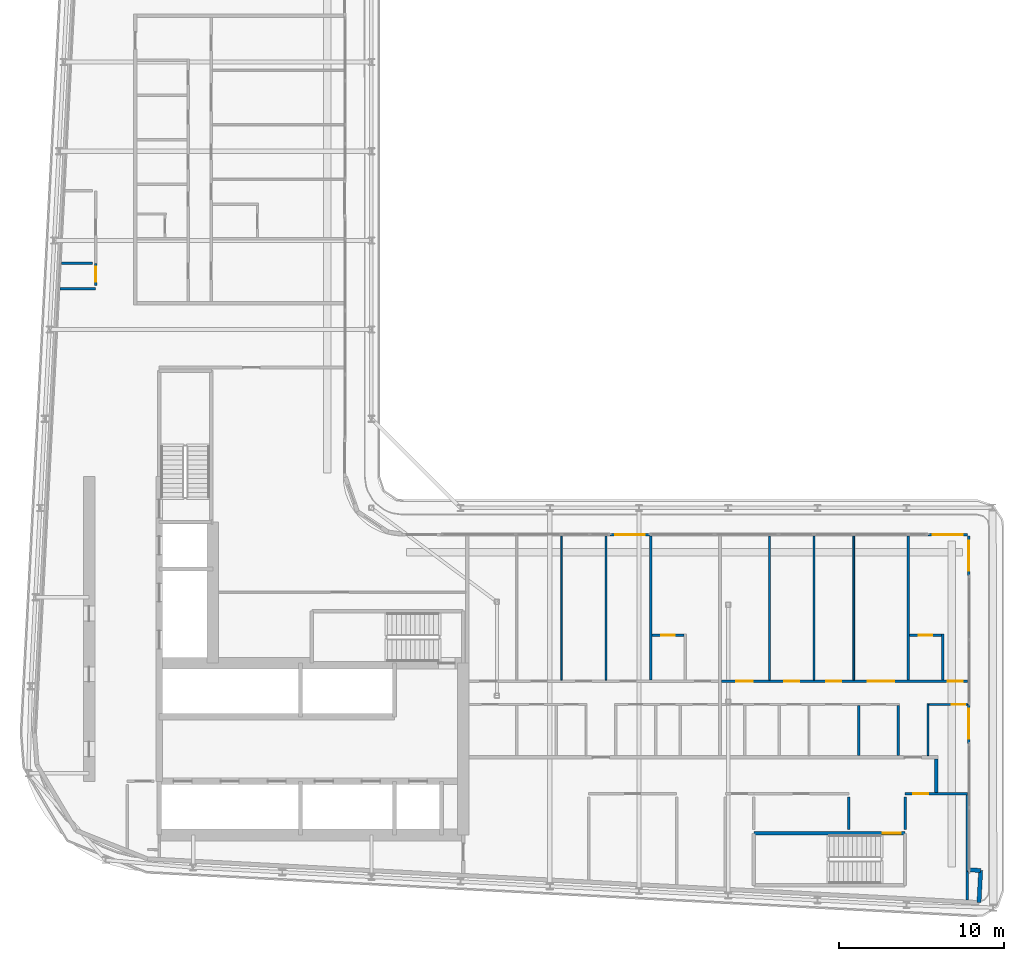
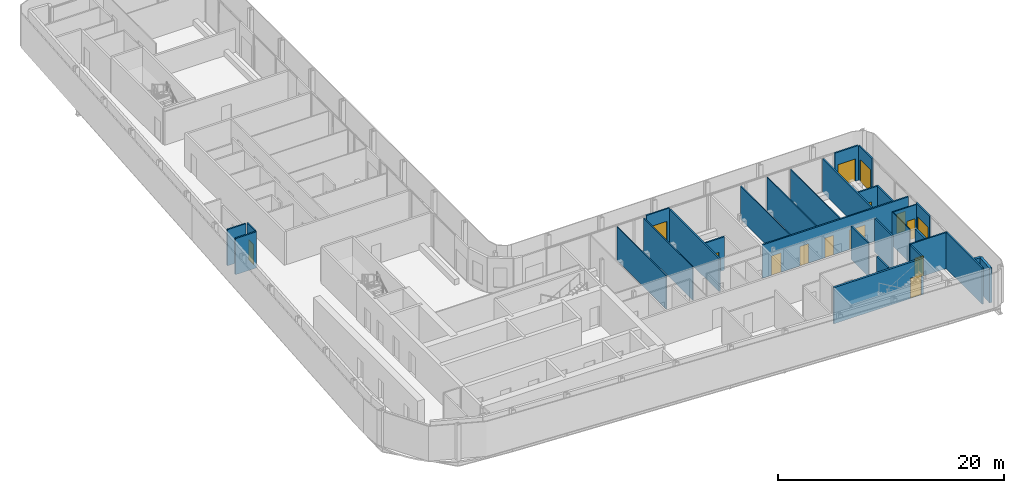
# One storey, part 13 of 23: 30 walls, 15 doors, 15 openings.
"""IFC4 building model written with IfcOpenShell, lengths in metres."""

from ifc_helpers import new_model, si_unit, direction, frame, frame_2d, origin, place, context, subcontext, project, spatial, rectangle, extrude, source, transform, mapped, material, layer, layer_set, type_object, element, fill, save


model = new_model("IFC4")

# Units and contexts
model_context = context("Model", 3, precision=1e-05, world=origin(), true_north=direction((0.0, 1.0)))
body_context = subcontext(model_context, "Body", "Model", "MODEL_VIEW")
ifc_project = project(units=[si_unit("LENGTHUNIT", "METRE"), si_unit("AREAUNIT", "SQUARE_METRE"), si_unit("VOLUMEUNIT", "CUBIC_METRE"), si_unit("PLANEANGLEUNIT", "RADIAN"), si_unit("MASSUNIT", "GRAM", prefix="KILO")], contexts=[model_context])

# Site, building, storey
site_placement = place(None, origin())
site = spatial("IfcSite", under=ifc_project, at=site_placement, CompositionType="ELEMENT")
building_placement = place(site_placement, origin())
building = spatial("IfcBuilding", under=site, at=building_placement, Name="Kheshtan School and Residences Tower", CompositionType="ELEMENT")
storey_placement = place(building_placement, frame((0.0, 0.0, 243.5)))
storey = spatial("IfcBuildingStorey", under=building, at=storey_placement, Name="L57", CompositionType="ELEMENT", Elevation=243.5)

# Walls
ifc_material_1 = material(Name="Gypsum board on steel studs with fire boards", Category="steel")
ifc_layer_1 = layer(ifc_material_1, 0.199951171875)
ifc_layer_set_1 = layer_set([ifc_layer_1], Name="Corridor wall 200")
wall_type_1 = type_object("IfcWallType", Name="Corridor wall 200", PredefinedType="PARTITIONING", material=ifc_layer_set_1)
wall_1_placement = place(storey_placement, frame((81.800048828125, 28.3740234375, 0.0), z_axis=(0.0, 0.0, 1.0), x_axis=(0.0, 1.0, 0.0)))
element("IfcWall", 1, at=wall_1_placement, inside=storey, type_object=wall_type_1, Name="Partition L57-067", PredefinedType="PARTITIONING", context=body_context, shape_type="SweptSolid", body=[
    extrude(rectangle(XDim=2.02587890625, YDim=0.199951171875, at=frame_2d((1.012939453125, 0.0))), origin(), (0.0, 0.0, 1.0), 3.60009765625),
])
ifc_material_2 = material(Name="Concrete C40/50 with ceramic cladding and mineral wool insulation", Category="concrete")
ifc_layer_2 = layer(ifc_material_2, 0.25)
ifc_layer_set_2 = layer_set([ifc_layer_2], Name="External wall 250 ceramic clad")
wall_type_2 = type_object("IfcWallType", Name="External wall 250 ceramic clad", PredefinedType="SOLIDWALL", material=ifc_layer_set_2)
wall_2_placement = place(storey_placement, frame((83.70703125, 23.69189453125, 0.0), z_axis=(0.0, 0.0, 1.0), x_axis=(0.998561284263, -0.053622398031, 0.0)))
element("IfcWall", 2, at=wall_2_placement, inside=storey, type_object=wall_type_2, Name="External wall L57 14", PredefinedType="SOLIDWALL", context=body_context, shape_type="SweptSolid", body=[
    extrude(rectangle(XDim=0.783203125, YDim=0.25, at=frame_2d((0.3916015625, 0.0))), origin(), (0.0, 0.0, 1.0), 3.75),
])
wall_3_placement = place(storey_placement, frame((84.489013671875, 23.64990234375, 0.0), z_axis=(0.0, 0.0, 1.0), x_axis=(-0.052841433274, -0.998602915542, 0.0)))
element("IfcWall", 3, at=wall_3_placement, inside=storey, type_object=wall_type_2, Name="External wall L57 15", PredefinedType="SOLIDWALL", context=body_context, shape_type="SweptSolid", body=[
    extrude(rectangle(XDim=1.94970703125, YDim=0.25, at=frame_2d((0.974853515625, 0.0))), origin(), (0.0, 0.0, 1.0), 3.75),
])

# Wall, opening, door
ifc_material_3 = material(Name="Aluminium frame wall with insulated infill", Category="aluminium")
ifc_layer_3 = layer(ifc_material_3, 0.14990234375)
ifc_layer_set_3 = layer_set([ifc_layer_3], Name="Glazing frame wall 150")
wall_type_3 = type_object("IfcWallType", Name="Glazing frame wall 150", PredefinedType="SOLIDWALL", material=ifc_layer_set_3)
wall_4_placement = place(storey_placement, frame((62.052978515625, 43.97509765625, 0.0), z_axis=(0.0, 0.0, 1.0), x_axis=(1.0, 0.0, 0.0)))
wall_4 = element("IfcWall", 4, at=wall_4_placement, inside=storey, type_object=wall_type_3, Name="Balcony door wall L57 12.2", PredefinedType="SOLIDWALL", context=body_context, shape_type="SweptSolid", body=[
    extrude(rectangle(XDim=2.39990234375, YDim=0.14990234375, at=frame_2d((1.199951171875, 0.0))), origin(), (0.0, 0.0, 1.0), 3.75),
])
opening_1_placement = place(wall_4_placement, frame((0.300048828125, 0.0, 0.0)))
opening_1 = element("IfcOpeningElement", 5, at=opening_1_placement, cuts=wall_4, Name="Opening BD", PredefinedType="OPENING", context=body_context, shape_type="SweptSolid", body=[
    extrude(rectangle(XDim=1.800048828125, YDim=2.39990234375, at=frame_2d((0.89990234375, 1.199951171875))), frame((0.0, 0.0849609375, 0.0), z_axis=(0.0, -1.0, 0.0), x_axis=(1.0, 0.0, 0.0)), (0.0, 0.0, 1.0), 0.169921875),
])
ifc_material_4 = material(Name="Clear low-e glass in thermally broken aluminium frame", Category="aluminium")
door_type_1 = type_object("IfcDoorType", Name="Balcony sliding door", OperationType="SLIDING_TO_LEFT", PredefinedType="DOOR", material=ifc_material_4)
shared_shape_1 = source(origin(), body_context, "Body", "SweptSolid", [
    extrude(rectangle(XDim=1.800048828125, YDim=2.39990234375, at=frame_2d((0.89990234375, 1.199951171875))), frame((0.0, 0.02490234375, 0.0), z_axis=(0.0, -1.0, 0.0), x_axis=(1.0, 0.0, 0.0)), (0.0, 0.0, 1.0), 0.050048828125),
])
door_1_placement = place(opening_1_placement, origin())
door_1 = element("IfcDoor", 6, at=door_1_placement, inside=storey, type_object=door_type_1, Name="Balcony door L57 12.2", OperationType="SLIDING_TO_LEFT", OverallHeight=2.39990234375, OverallWidth=1.800048828125, PredefinedType="DOOR", context=body_context, shape_type="MappedRepresentation", body=[
    mapped(shared_shape_1, transform((0.0, 0.0, 0.0), x_axis=(1.0, 0.0, 0.0), y_axis=(0.0, 1.0, 0.0), z_axis=(0.0, 0.0, 1.0), scale=1.0)),
])
fill(opening_1, door_1)

wall_5_placement = place(storey_placement, frame((81.300048828125, 43.97509765625, 0.0), z_axis=(0.0, 0.0, 1.0), x_axis=(1.0, 0.0, 0.0)))
wall_5 = element("IfcWall", 7, at=wall_5_placement, inside=storey, type_object=wall_type_3, Name="Balcony door wall L57 12.3", PredefinedType="SOLIDWALL", context=body_context, shape_type="SweptSolid", body=[
    extrude(rectangle(XDim=2.39990234375, YDim=0.14990234375, at=frame_2d((1.199951171875, 0.0))), origin(), (0.0, 0.0, 1.0), 3.75),
])
opening_2_placement = place(wall_5_placement, frame((0.300048828125, 0.0, 0.0)))
opening_2 = element("IfcOpeningElement", 8, at=opening_2_placement, cuts=wall_5, Name="Opening BD", PredefinedType="OPENING", context=body_context, shape_type="SweptSolid", body=[
    extrude(rectangle(XDim=1.800048828125, YDim=2.39990234375, at=frame_2d((0.89990234375, 1.199951171875))), frame((0.0, 0.0849609375, 0.0), z_axis=(0.0, -1.0, 0.0), x_axis=(1.0, 0.0, 0.0)), (0.0, 0.0, 1.0), 0.169921875),
])
door_2_placement = place(opening_2_placement, origin())
door_2 = element("IfcDoor", 9, at=door_2_placement, inside=storey, type_object=door_type_1, Name="Balcony door L57 12.3", OperationType="SLIDING_TO_LEFT", OverallHeight=2.39990234375, OverallWidth=1.800048828125, PredefinedType="DOOR", context=body_context, shape_type="MappedRepresentation", body=[
    mapped(shared_shape_1, transform((0.0, 0.0, 0.0), x_axis=(1.0, 0.0, 0.0), y_axis=(0.0, 1.0, 0.0), z_axis=(0.0, 0.0, 1.0), scale=1.0)),
])
fill(opening_2, door_2)

wall_6_placement = place(storey_placement, frame((83.77490234375, 43.89990234375, 0.0), z_axis=(0.0, 0.0, 1.0), x_axis=(0.0, -1.0, 0.0)))
wall_6 = element("IfcWall", 10, at=wall_6_placement, inside=storey, type_object=wall_type_3, Name="Balcony door wall L57 13.1", PredefinedType="SOLIDWALL", context=body_context, shape_type="SweptSolid", body=[
    extrude(rectangle(XDim=2.39990234375, YDim=0.14990234375, at=frame_2d((1.199951171875, 0.0))), origin(), (0.0, 0.0, 1.0), 3.75),
])
opening_3_placement = place(wall_6_placement, frame((0.300048828125, 0.0, 0.0)))
opening_3 = element("IfcOpeningElement", 11, at=opening_3_placement, cuts=wall_6, Name="Opening BD", PredefinedType="OPENING", context=body_context, shape_type="SweptSolid", body=[
    extrude(rectangle(XDim=1.800048828125, YDim=2.39990234375, at=frame_2d((0.89990234375, 1.199951171875))), frame((0.0, 0.0849609375, 0.0), z_axis=(0.0, -1.0, 0.0), x_axis=(1.0, 0.0, 0.0)), (0.0, 0.0, 1.0), 0.169921875),
])
door_3_placement = place(opening_3_placement, origin())
door_3 = element("IfcDoor", 12, at=door_3_placement, inside=storey, type_object=door_type_1, Name="Balcony door L57 13.1", OperationType="SLIDING_TO_LEFT", OverallHeight=2.39990234375, OverallWidth=1.800048828125, PredefinedType="DOOR", context=body_context, shape_type="MappedRepresentation", body=[
    mapped(shared_shape_1, transform((0.0, 0.0, 0.0), x_axis=(1.0, 0.0, 0.0), y_axis=(0.0, 1.0, 0.0), z_axis=(0.0, 0.0, 1.0), scale=1.0)),
])
fill(opening_3, door_3)

wall_7_placement = place(storey_placement, frame((83.77490234375, 33.73291015625, 0.0), z_axis=(0.0, 0.0, 1.0), x_axis=(0.0, -1.0, 0.0)))
wall_7 = element("IfcWall", 13, at=wall_7_placement, inside=storey, type_object=wall_type_3, Name="Balcony door wall L57 13.2", PredefinedType="SOLIDWALL", context=body_context, shape_type="SweptSolid", body=[
    extrude(rectangle(XDim=2.39892578125, YDim=0.14990234375, at=frame_2d((1.199462890625, 0.0))), origin(), (0.0, 0.0, 1.0), 3.75),
])
opening_4_placement = place(wall_7_placement, frame((0.300048828125, 0.0, 0.0)))
opening_4 = element("IfcOpeningElement", 14, at=opening_4_placement, cuts=wall_7, Name="Opening BD", PredefinedType="OPENING", context=body_context, shape_type="SweptSolid", body=[
    extrude(rectangle(XDim=1.800048828125, YDim=2.39990234375, at=frame_2d((0.89990234375, 1.199951171875))), frame((0.0, 0.0849609375, 0.0), z_axis=(0.0, -1.0, 0.0), x_axis=(1.0, 0.0, 0.0)), (0.0, 0.0, 1.0), 0.169921875),
])
door_4_placement = place(opening_4_placement, origin())
door_4 = element("IfcDoor", 15, at=door_4_placement, inside=storey, type_object=door_type_1, Name="Balcony door L57 13.2", OperationType="SLIDING_TO_LEFT", OverallHeight=2.39990234375, OverallWidth=1.800048828125, PredefinedType="DOOR", context=body_context, shape_type="MappedRepresentation", body=[
    mapped(shared_shape_1, transform((0.0, 0.0, 0.0), x_axis=(1.0, 0.0, 0.0), y_axis=(0.0, 1.0, 0.0), z_axis=(0.0, 0.0, 1.0), scale=1.0)),
])
fill(opening_4, door_4)

# Walls
ifc_material_5 = material(Name="Gypsum board on steel studs", Category="steel")
ifc_layer_4 = layer(ifc_material_5, 0.10009765625)
ifc_layer_set_4 = layer_set([ifc_layer_4], Name="Gypsum partition 100")
wall_type_4 = type_object("IfcWallType", Name="Gypsum partition 100", PredefinedType="PARTITIONING", material=ifc_layer_set_4)
for number, where, z_axis, x_axis, name in (
    (16, (59.10009765625, 35.175048828125, 0.0), (0.0, 0.0, 1.0), (0.0, 1.0, 0.0), "Partition L57-042"),
    (17, (61.800048828125, 35.175048828125, 0.0), (0.0, 0.0, 1.0), (0.0, 1.0, 0.0), "Partition L57-044"),
    (18, (71.699951171875, 35.175048828125, 0.0), (0.0, 0.0, 1.0), (0.0, 1.0, 0.0), "Partition L57-056"),
    (19, (74.39990234375, 35.175048828125, 0.0), (0.0, 0.0, 1.0), (0.0, 1.0, 0.0), "Partition L57-059"),
    (20, (76.800048828125, 35.175048828125, 0.0), (0.0, 0.0, 1.0), (0.0, 1.0, 0.0), "Partition L57-060"),
):
    element("IfcWall", number, at=place(storey_placement, frame(where, z_axis=z_axis, x_axis=x_axis)), inside=storey, type_object=wall_type_4, Name=name, PredefinedType="PARTITIONING", context=body_context, shape_type="SweptSolid", body=[
        extrude(rectangle(XDim=8.724853515625, YDim=0.10009765625, at=frame_2d((4.3623046875, 0.0))), origin(), (0.0, 0.0, 1.0), 3.60009765625),
    ])
wall_8_placement = place(storey_placement, frame((81.300048828125, 30.60009765625, 0.0), z_axis=(0.0, 0.0, 1.0), x_axis=(0.0, 1.0, 0.0)))
element("IfcWall", 21, at=wall_8_placement, inside=storey, type_object=wall_type_4, Name="Partition L57-065", PredefinedType="PARTITIONING", context=body_context, shape_type="SweptSolid", body=[
    extrude(rectangle(XDim=3.14990234375, YDim=0.10009765625, at=frame_2d((1.574951171875, 0.0))), origin(), (0.0, 0.0, 1.0), 3.60009765625),
])

# Wall, opening, door
wall_9_placement = place(storey_placement, frame((81.35009765625, 33.699951171875, 0.0), z_axis=(0.0, 0.0, 1.0), x_axis=(1.0, 0.0, 0.0)))
wall_9 = element("IfcWall", 22, at=wall_9_placement, inside=storey, type_object=wall_type_4, Name="Partition L57-066", PredefinedType="PARTITIONING", context=body_context, shape_type="SweptSolid", body=[
    extrude(rectangle(XDim=2.349853515625, YDim=0.10009765625, at=frame_2d((1.1748046875, 0.0))), origin(), (0.0, 0.0, 1.0), 3.60009765625),
])
opening_5_placement = place(wall_9_placement, frame((1.39990234375, 0.0, 0.0)))
opening_5 = element("IfcOpeningElement", 23, at=opening_5_placement, cuts=wall_9, Name="Opening D56-018", PredefinedType="OPENING", context=body_context, shape_type="SweptSolid", body=[
    extrude(rectangle(XDim=0.800048828125, YDim=2.10009765625, at=frame_2d((0.39990234375, 1.050048828125))), frame((0.0, 0.06005859375, 0.0), z_axis=(0.0, -1.0, 0.0), x_axis=(1.0, 0.0, 0.0)), (0.0, 0.0, 1.0), 0.1201171875),
])
ifc_material_6 = material(Name="Veneered timber door leaf", Category="wood")
door_type_2 = type_object("IfcDoorType", Name="Door 800 x 2100", OperationType="SINGLE_SWING_LEFT", PredefinedType="DOOR", material=ifc_material_6)
shared_shape_2 = source(origin(), body_context, "Body", "SweptSolid", [
    extrude(rectangle(XDim=0.800048828125, YDim=2.10009765625, at=frame_2d((0.39990234375, 1.050048828125))), frame((0.0, 0.02490234375, 0.0), z_axis=(0.0, -1.0, 0.0), x_axis=(1.0, 0.0, 0.0)), (0.0, 0.0, 1.0), 0.050048828125),
])
door_5_placement = place(opening_5_placement, origin())
door_5 = element("IfcDoor", 24, at=door_5_placement, inside=storey, type_object=door_type_2, Name="Door D56-018", OperationType="SINGLE_SWING_LEFT", OverallHeight=2.10009765625, OverallWidth=0.800048828125, PredefinedType="DOOR", context=body_context, shape_type="MappedRepresentation", body=[
    mapped(shared_shape_2, transform((0.0, 0.0, 0.0), x_axis=(1.0, 0.0, 0.0), y_axis=(0.0, 1.0, 0.0), z_axis=(0.0, 0.0, 1.0), scale=1.0)),
])
fill(opening_5, door_5)

# Wall
ifc_material_7 = material(Name="Fire-board shaft wall system")
ifc_layer_5 = layer(ifc_material_7, 0.14990234375)
ifc_layer_set_5 = layer_set([ifc_layer_5], Name="Service room wall 150")
wall_type_5 = type_object("IfcWallType", Name="Service room wall 150", PredefinedType="PARTITIONING", material=ifc_layer_set_5)
wall_10_placement = place(storey_placement, frame((28.738037109375, 58.8720703125, 0.0), z_axis=(0.0, 0.0, 1.0), x_axis=(1.0, 0.0, 0.0)))
element("IfcWall", 25, at=wall_10_placement, inside=storey, type_object=wall_type_5, Name="Service room wall", PredefinedType="PARTITIONING", context=body_context, shape_type="SweptSolid", body=[
    extrude(rectangle(XDim=2.161865234375, YDim=0.14990234375, at=frame_2d((1.0810546875, 0.0))), origin(), (0.0, 0.0, 1.0), 3.89990234375),
])

# Wall, opening, door
wall_11_placement = place(storey_placement, frame((30.89990234375, 59.06689453125, 0.0), z_axis=(0.0, 0.0, 1.0), x_axis=(0.0, 1.0, 0.0)))
wall_11 = element("IfcWall", 26, at=wall_11_placement, inside=storey, type_object=wall_type_5, Name="Service room wall", PredefinedType="PARTITIONING", context=body_context, shape_type="SweptSolid", body=[
    extrude(rectangle(XDim=1.34716796875, YDim=0.14990234375, at=frame_2d((0.673583984375, 0.0))), origin(), (0.0, 0.0, 1.0), 3.89990234375),
])
opening_6_placement = place(wall_11_placement, frame((0.22607421875, 0.0, 0.0)))
opening_6 = element("IfcOpeningElement", 27, at=opening_6_placement, cuts=wall_11, Name="Opening SR90", PredefinedType="OPENING", context=body_context, shape_type="SweptSolid", body=[
    extrude(rectangle(XDim=0.89990234375, YDim=2.199951171875, at=frame_2d((0.449951171875, 1.10009765625))), frame((0.0, 0.0849609375, 0.0), z_axis=(0.0, -1.0, 0.0), x_axis=(1.0, 0.0, 0.0)), (0.0, 0.0, 1.0), 0.169921875),
])
ifc_material_8 = material(Name="Steel door leaf, galvanised", Category="steel")
door_type_3 = type_object("IfcDoorType", Name="Service room door 900 steel 90 min", OperationType="SINGLE_SWING_LEFT", PredefinedType="DOOR", material=ifc_material_8)
shared_shape_3 = source(origin(), body_context, "Body", "SweptSolid", [
    extrude(rectangle(XDim=0.89990234375, YDim=2.199951171875, at=frame_2d((0.449951171875, 1.10009765625))), frame((0.0, 0.02490234375, 0.0), z_axis=(0.0, -1.0, 0.0), x_axis=(1.0, 0.0, 0.0)), (0.0, 0.0, 1.0), 0.050048828125),
])
door_6_placement = place(opening_6_placement, origin())
door_6 = element("IfcDoor", 28, at=door_6_placement, inside=storey, type_object=door_type_3, Name="Service room door", OperationType="SINGLE_SWING_LEFT", OverallHeight=2.199951171875, OverallWidth=0.89990234375, PredefinedType="DOOR", context=body_context, shape_type="MappedRepresentation", body=[
    mapped(shared_shape_3, transform((0.0, 0.0, 0.0), x_axis=(1.0, 0.0, 0.0), y_axis=(0.0, 1.0, 0.0), z_axis=(0.0, 0.0, 1.0), scale=1.0)),
])
fill(opening_6, door_6)

# Walls
wall_12_placement = place(storey_placement, frame((28.820068359375, 60.4140625, 0.0), z_axis=(0.0, 0.0, 1.0), x_axis=(1.0, 0.0, 0.0)))
element("IfcWall", 29, at=wall_12_placement, inside=storey, type_object=wall_type_5, Name="Service room wall", PredefinedType="PARTITIONING", context=body_context, shape_type="SweptSolid", body=[
    extrude(rectangle(XDim=1.885009765625, YDim=0.14990234375, at=frame_2d((0.9423828125, 0.0))), origin(), (0.0, 0.0, 1.0), 3.89990234375),
])
wall_13_placement = place(storey_placement, frame((76.510009765625, 26.1201171875, 0.0), z_axis=(0.0, 0.0, 1.0), x_axis=(0.0, 1.0, 0.0)))
element("IfcWall", 30, at=wall_13_placement, inside=storey, type_object=wall_type_5, Name="Service room wall", PredefinedType="PARTITIONING", context=body_context, shape_type="SweptSolid", body=[
    extrude(rectangle(XDim=1.98486328125, YDim=0.14990234375, at=frame_2d((0.992431640625, 0.0))), origin(), (0.0, 0.0, 1.0), 3.89990234375),
])
wall_14_placement = place(storey_placement, frame((83.669921875, 21.867919921875, 0.0), z_axis=(0.0, 0.0, 1.0), x_axis=(0.0, 1.0, 0.0)))
element("IfcWall", 31, at=wall_14_placement, inside=storey, type_object=wall_type_5, Name="Service room wall", PredefinedType="PARTITIONING", context=body_context, shape_type="SweptSolid", body=[
    extrude(rectangle(XDim=6.43212890625, YDim=0.14990234375, at=frame_2d((3.216064453125, 0.0))), origin(), (0.0, 0.0, 1.0), 3.89990234375),
])

# Wall, opening, door
wall_15_placement = place(storey_placement, frame((79.909912109375, 28.300048828125, 0.0), z_axis=(0.0, 0.0, 1.0), x_axis=(1.0, 0.0, 0.0)))
wall_15 = element("IfcWall", 32, at=wall_15_placement, inside=storey, type_object=wall_type_5, Name="Service room wall", PredefinedType="PARTITIONING", context=body_context, shape_type="SweptSolid", body=[
    extrude(rectangle(XDim=3.7880859375, YDim=0.14990234375, at=frame_2d((1.89404296875, 0.0))), origin(), (0.0, 0.0, 1.0), 3.89990234375),
])
opening_7_placement = place(wall_15_placement, frame((0.4951171875, 0.0, 0.0)))
opening_7 = element("IfcOpeningElement", 33, at=opening_7_placement, cuts=wall_15, Name="Opening SR90", PredefinedType="OPENING", context=body_context, shape_type="SweptSolid", body=[
    extrude(rectangle(XDim=0.89990234375, YDim=2.199951171875, at=frame_2d((0.449951171875, 1.10009765625))), frame((0.0, 0.0849609375, 0.0), z_axis=(0.0, -1.0, 0.0), x_axis=(1.0, 0.0, 0.0)), (0.0, 0.0, 1.0), 0.169921875),
])
door_7_placement = place(opening_7_placement, origin())
door_7 = element("IfcDoor", 34, at=door_7_placement, inside=storey, type_object=door_type_3, Name="Service room door", OperationType="SINGLE_SWING_RIGHT", OverallHeight=2.199951171875, OverallWidth=0.89990234375, PredefinedType="DOOR", context=body_context, shape_type="MappedRepresentation", body=[
    mapped(shared_shape_3, transform((0.0, 0.0, 0.0), x_axis=(1.0, 0.0, 0.0), y_axis=(0.0, 1.0, 0.0), z_axis=(0.0, 0.0, 1.0), scale=1.0)),
])
fill(opening_7, door_7)

# Wall
wall_16_placement = place(storey_placement, frame((79.909912109375, 26.1201171875, 0.0), z_axis=(0.0, 0.0, 1.0), x_axis=(0.0, 1.0, 0.0)))
element("IfcWall", 35, at=wall_16_placement, inside=storey, type_object=wall_type_5, Name="Service room wall", PredefinedType="PARTITIONING", context=body_context, shape_type="SweptSolid", body=[
    extrude(rectangle(XDim=1.98486328125, YDim=0.14990234375, at=frame_2d((0.992431640625, 0.0))), origin(), (0.0, 0.0, 1.0), 3.89990234375),
])

# Wall, opening, door
ifc_material_9 = material(Name="Concrete C40/50", Category="concrete")
ifc_layer_6 = layer(ifc_material_9, 0.199951171875)
ifc_layer_set_6 = layer_set([ifc_layer_6], Name="Stair enclosure wall 200 Concrete C40/50")
wall_type_6 = type_object("IfcWallType", Name="Stair enclosure wall 200 Concrete C40/50", PredefinedType="SHEAR", material=ifc_layer_set_6)
wall_17_placement = place(storey_placement, frame((70.75, 25.89990234375, 0.0), z_axis=(0.0, 0.0, 1.0), x_axis=(1.0, 0.0, 0.0)))
wall_17 = element("IfcWall", 36, at=wall_17_placement, inside=storey, type_object=wall_type_6, Name="Stair enclosure wall ST5", PredefinedType="SHEAR", context=body_context, shape_type="SweptSolid", body=[
    extrude(rectangle(XDim=9.159912109375, YDim=0.199951171875, at=frame_2d((4.580078125, 0.0))), origin(), (0.0, 0.0, 1.0), 3.89990234375),
])
opening_8_placement = place(wall_17_placement, frame((7.81005859375, 0.0, 0.0)))
opening_8 = element("IfcOpeningElement", 37, at=opening_8_placement, cuts=wall_17, Name="Opening ST5D", PredefinedType="OPENING", context=body_context, shape_type="SweptSolid", body=[
    extrude(rectangle(XDim=1.10009765625, YDim=2.199951171875, at=frame_2d((0.550048828125, 1.10009765625))), frame((0.0, 0.10986328125, 0.0), z_axis=(0.0, -1.0, 0.0), x_axis=(1.0, 0.0, 0.0)), (0.0, 0.0, 1.0), 0.219970703125),
])
door_type_4 = type_object("IfcDoorType", Name="Stair door 1100 steel 90 min", OperationType="SINGLE_SWING_LEFT", PredefinedType="DOOR", material=ifc_material_8)
shared_shape_4 = source(origin(), body_context, "Body", "SweptSolid", [
    extrude(rectangle(XDim=1.10009765625, YDim=2.199951171875, at=frame_2d((0.550048828125, 1.10009765625))), frame((0.0, 0.02490234375, 0.0), z_axis=(0.0, -1.0, 0.0), x_axis=(1.0, 0.0, 0.0)), (0.0, 0.0, 1.0), 0.050048828125),
])
door_8_placement = place(opening_8_placement, origin())
door_8 = element("IfcDoor", 38, at=door_8_placement, inside=storey, type_object=door_type_4, Name="Stair ST5 door", OperationType="SINGLE_SWING_LEFT", OverallHeight=2.199951171875, OverallWidth=1.10009765625, PredefinedType="DOOR", context=body_context, shape_type="MappedRepresentation", body=[
    mapped(shared_shape_4, transform((0.0, 0.0, 0.0), x_axis=(1.0, 0.0, 0.0), y_axis=(0.0, 1.0, 0.0), z_axis=(0.0, 0.0, 1.0), scale=1.0)),
])
fill(opening_8, door_8)

# Wall
ifc_material_10 = material(Name="Moisture-resistant gypsum board on steel studs", Category="steel")
ifc_layer_7 = layer(ifc_material_10, 0.14990234375)
ifc_layer_set_7 = layer_set([ifc_layer_7], Name="Wet-room partition 150")
wall_type_7 = type_object("IfcWallType", Name="Wet-room partition 150", PredefinedType="PARTITIONING", material=ifc_layer_set_7)
wall_18_placement = place(storey_placement, frame((64.5, 35.175048828125, 0.0), z_axis=(0.0, 0.0, 1.0), x_axis=(0.0, 1.0, 0.0)))
element("IfcWall", 39, at=wall_18_placement, inside=storey, type_object=wall_type_7, Name="Partition L57-047", PredefinedType="PARTITIONING", context=body_context, shape_type="SweptSolid", body=[
    extrude(rectangle(XDim=8.724853515625, YDim=0.14990234375, at=frame_2d((4.3623046875, 0.0))), origin(), (0.0, 0.0, 1.0), 3.60009765625),
])

# Wall, opening, door
wall_19_placement = place(storey_placement, frame((64.574951171875, 37.89990234375, 0.0), z_axis=(0.0, 0.0, 1.0), x_axis=(1.0, 0.0, 0.0)))
wall_19 = element("IfcWall", 40, at=wall_19_placement, inside=storey, type_object=wall_type_7, Name="Partition L57-048", PredefinedType="PARTITIONING", context=body_context, shape_type="SweptSolid", body=[
    extrude(rectangle(XDim=1.949951171875, YDim=0.14990234375, at=frame_2d((0.97509765625, 0.0))), origin(), (0.0, 0.0, 1.0), 3.60009765625),
])
opening_9_placement = place(wall_19_placement, frame((0.574951171875, 0.0, 0.0)))
opening_9 = element("IfcOpeningElement", 41, at=opening_9_placement, cuts=wall_19, Name="Opening D56-006", PredefinedType="OPENING", context=body_context, shape_type="SweptSolid", body=[
    extrude(rectangle(XDim=0.800048828125, YDim=2.10009765625, at=frame_2d((0.39990234375, 1.050048828125))), frame((0.0, 0.0849609375, 0.0), z_axis=(0.0, -1.0, 0.0), x_axis=(1.0, 0.0, 0.0)), (0.0, 0.0, 1.0), 0.169921875),
])
door_9_placement = place(opening_9_placement, origin())
door_9 = element("IfcDoor", 42, at=door_9_placement, inside=storey, type_object=door_type_2, Name="Door D56-006", OperationType="SINGLE_SWING_LEFT", OverallHeight=2.10009765625, OverallWidth=0.800048828125, PredefinedType="DOOR", context=body_context, shape_type="MappedRepresentation", body=[
    mapped(shared_shape_2, transform((0.0, 0.0, 0.0), x_axis=(1.0, 0.0, 0.0), y_axis=(0.0, 1.0, 0.0), z_axis=(0.0, 0.0, 1.0), scale=1.0)),
])
fill(opening_9, door_9)

# Wall, openings, doors
wall_20_placement = place(storey_placement, frame((68.800048828125, 35.10009765625, 0.0), z_axis=(0.0, 0.0, 1.0), x_axis=(1.0, 0.0, 0.0)))
wall_20 = element("IfcWall", 43, at=wall_20_placement, inside=storey, type_object=wall_type_7, Name="Partition L57-054", PredefinedType="PARTITIONING", context=body_context, shape_type="SweptSolid", body=[
    extrude(rectangle(XDim=14.89990234375, YDim=0.14990234375, at=frame_2d((7.449951171875, 0.0))), origin(), (0.0, 0.0, 1.0), 3.60009765625),
])
opening_10_placement = place(wall_20_placement, frame((3.800048828125, 0.0, 0.0)))
opening_10 = element("IfcOpeningElement", 44, at=opening_10_placement, cuts=wall_20, Name="Opening D56-016", PredefinedType="OPENING", context=body_context, shape_type="SweptSolid", body=[
    extrude(rectangle(XDim=0.89990234375, YDim=2.10009765625, at=frame_2d((0.449951171875, 1.050048828125))), frame((0.0, 0.0849609375, 0.0), z_axis=(0.0, -1.0, 0.0), x_axis=(1.0, 0.0, 0.0)), (0.0, 0.0, 1.0), 0.169921875),
])
opening_11_placement = place(wall_20_placement, frame((6.35009765625, 0.0, 0.0)))
opening_11 = element("IfcOpeningElement", 45, at=opening_11_placement, cuts=wall_20, Name="Opening D56-017", PredefinedType="OPENING", context=body_context, shape_type="SweptSolid", body=[
    extrude(rectangle(XDim=0.89990234375, YDim=2.10009765625, at=frame_2d((0.449951171875, 1.050048828125))), frame((0.0, 0.0849609375, 0.0), z_axis=(0.0, -1.0, 0.0), x_axis=(1.0, 0.0, 0.0)), (0.0, 0.0, 1.0), 0.169921875),
])
opening_12_placement = place(wall_20_placement, frame((0.89990234375, 0.0, 0.0)))
opening_12 = element("IfcOpeningElement", 46, at=opening_12_placement, cuts=wall_20, Name="Opening D56-022", PredefinedType="OPENING", context=body_context, shape_type="SweptSolid", body=[
    extrude(rectangle(XDim=1.0, YDim=2.10009765625, at=frame_2d((0.5, 1.050048828125))), frame((0.0, 0.0849609375, 0.0), z_axis=(0.0, -1.0, 0.0), x_axis=(1.0, 0.0, 0.0)), (0.0, 0.0, 1.0), 0.169921875),
])
opening_13_placement = place(wall_20_placement, frame((8.85009765625, 0.0, 0.0)))
opening_13 = element("IfcOpeningElement", 47, at=opening_13_placement, cuts=wall_20, Name="Opening D56-023", PredefinedType="OPENING", context=body_context, shape_type="SweptSolid", body=[
    extrude(rectangle(XDim=1.60009765625, YDim=2.10009765625, at=frame_2d((0.800048828125, 1.050048828125))), frame((0.0, 0.0849609375, 0.0), z_axis=(0.0, -1.0, 0.0), x_axis=(1.0, 0.0, 0.0)), (0.0, 0.0, 1.0), 0.169921875),
])
opening_14_placement = place(wall_20_placement, frame((13.699951171875, 0.0, 0.0)))
opening_14 = element("IfcOpeningElement", 48, at=opening_14_placement, cuts=wall_20, Name="Opening D56-024", PredefinedType="OPENING", context=body_context, shape_type="SweptSolid", body=[
    extrude(rectangle(XDim=0.89990234375, YDim=2.10009765625, at=frame_2d((0.449951171875, 1.050048828125))), frame((0.0, 0.0849609375, 0.0), z_axis=(0.0, -1.0, 0.0), x_axis=(1.0, 0.0, 0.0)), (0.0, 0.0, 1.0), 0.169921875),
])
door_type_5 = type_object("IfcDoorType", Name="Door 1000 x 2100", OperationType="SINGLE_SWING_LEFT", PredefinedType="DOOR", material=ifc_material_6)
shared_shape_5 = source(origin(), body_context, "Body", "SweptSolid", [
    extrude(rectangle(XDim=1.0, YDim=2.10009765625, at=frame_2d((0.5, 1.050048828125))), frame((0.0, 0.02490234375, 0.0), z_axis=(0.0, -1.0, 0.0), x_axis=(1.0, 0.0, 0.0)), (0.0, 0.0, 1.0), 0.050048828125),
])
door_10_placement = place(opening_12_placement, origin())
door_10 = element("IfcDoor", 49, at=door_10_placement, inside=storey, type_object=door_type_5, Name="Door D56-022", OperationType="SINGLE_SWING_LEFT", OverallHeight=2.10009765625, OverallWidth=1.0, PredefinedType="DOOR", context=body_context, shape_type="MappedRepresentation", body=[
    mapped(shared_shape_5, transform((0.0, 0.0, 0.0), x_axis=(1.0, 0.0, 0.0), y_axis=(0.0, 1.0, 0.0), z_axis=(0.0, 0.0, 1.0), scale=1.0)),
])
fill(opening_12, door_10)
door_type_6 = type_object("IfcDoorType", Name="Door 900 x 2100", OperationType="SINGLE_SWING_LEFT", PredefinedType="DOOR", material=ifc_material_6)
shared_shape_6 = source(origin(), body_context, "Body", "SweptSolid", [
    extrude(rectangle(XDim=0.89990234375, YDim=2.10009765625, at=frame_2d((0.449951171875, 1.050048828125))), frame((0.0, 0.02490234375, 0.0), z_axis=(0.0, -1.0, 0.0), x_axis=(1.0, 0.0, 0.0)), (0.0, 0.0, 1.0), 0.050048828125),
])
door_11_placement = place(opening_10_placement, origin())
door_11 = element("IfcDoor", 50, at=door_11_placement, inside=storey, type_object=door_type_6, Name="Door D56-016", OperationType="SINGLE_SWING_RIGHT", OverallHeight=2.10009765625, OverallWidth=0.89990234375, PredefinedType="DOOR", context=body_context, shape_type="MappedRepresentation", body=[
    mapped(shared_shape_6, transform((0.0, 0.0, 0.0), x_axis=(1.0, 0.0, 0.0), y_axis=(0.0, 1.0, 0.0), z_axis=(0.0, 0.0, 1.0), scale=1.0)),
])
fill(opening_10, door_11)
door_12_placement = place(opening_11_placement, origin())
door_12 = element("IfcDoor", 51, at=door_12_placement, inside=storey, type_object=door_type_6, Name="Door D56-017", OperationType="SINGLE_SWING_RIGHT", OverallHeight=2.10009765625, OverallWidth=0.89990234375, PredefinedType="DOOR", context=body_context, shape_type="MappedRepresentation", body=[
    mapped(shared_shape_6, transform((0.0, 0.0, 0.0), x_axis=(1.0, 0.0, 0.0), y_axis=(0.0, 1.0, 0.0), z_axis=(0.0, 0.0, 1.0), scale=1.0)),
])
fill(opening_11, door_12)
door_13_placement = place(opening_14_placement, origin())
door_13 = element("IfcDoor", 52, at=door_13_placement, inside=storey, type_object=door_type_6, Name="Door D56-024", OperationType="SINGLE_SWING_LEFT", OverallHeight=2.10009765625, OverallWidth=0.89990234375, PredefinedType="DOOR", context=body_context, shape_type="MappedRepresentation", body=[
    mapped(shared_shape_6, transform((0.0, 0.0, 0.0), x_axis=(1.0, 0.0, 0.0), y_axis=(0.0, 1.0, 0.0), z_axis=(0.0, 0.0, 1.0), scale=1.0)),
])
fill(opening_14, door_13)
door_type_7 = type_object("IfcDoorType", Name="Double door 1600 x 2100", OperationType="DOUBLE_DOOR_SINGLE_SWING", PredefinedType="DOOR", material=ifc_material_6)
shared_shape_7 = source(origin(), body_context, "Body", "SweptSolid", [
    extrude(rectangle(XDim=1.60009765625, YDim=2.10009765625, at=frame_2d((0.800048828125, 1.050048828125))), frame((0.0, 0.02490234375, 0.0), z_axis=(0.0, -1.0, 0.0), x_axis=(1.0, 0.0, 0.0)), (0.0, 0.0, 1.0), 0.050048828125),
])
door_14_placement = place(opening_13_placement, origin())
door_14 = element("IfcDoor", 53, at=door_14_placement, inside=storey, type_object=door_type_7, Name="Door D56-023", OperationType="DOUBLE_DOOR_SINGLE_SWING", OverallHeight=2.10009765625, OverallWidth=1.60009765625, PredefinedType="DOOR", context=body_context, shape_type="MappedRepresentation", body=[
    mapped(shared_shape_7, transform((0.0, 0.0, 0.0), x_axis=(1.0, 0.0, 0.0), y_axis=(0.0, 1.0, 0.0), z_axis=(0.0, 0.0, 1.0), scale=1.0)),
])
fill(opening_13, door_14)

# Walls
for number, where, z_axis, x_axis, name in (
    (54, (77.10009765625, 30.60009765625, 0.0), (0.0, 0.0, 1.0), (0.0, 1.0, 0.0), "Partition L57-061"),
    (55, (79.5, 30.60009765625, 0.0), (0.0, 0.0, 1.0), (0.0, 1.0, 0.0), "Partition L57-062"),
):
    element("IfcWall", number, at=place(storey_placement, frame(where, z_axis=z_axis, x_axis=x_axis)), inside=storey, type_object=wall_type_7, Name=name, PredefinedType="PARTITIONING", context=body_context, shape_type="SweptSolid", body=[
        extrude(rectangle(XDim=3.02490234375, YDim=0.14990234375, at=frame_2d((1.512451171875, 0.0))), origin(), (0.0, 0.0, 1.0), 3.60009765625),
    ])
wall_21_placement = place(storey_placement, frame((80.10009765625, 35.175048828125, 0.0), z_axis=(0.0, 0.0, 1.0), x_axis=(0.0, 1.0, 0.0)))
element("IfcWall", 56, at=wall_21_placement, inside=storey, type_object=wall_type_7, Name="Partition L57-063", PredefinedType="PARTITIONING", context=body_context, shape_type="SweptSolid", body=[
    extrude(rectangle(XDim=8.724853515625, YDim=0.14990234375, at=frame_2d((4.3623046875, 0.0))), origin(), (0.0, 0.0, 1.0), 3.60009765625),
])

# Wall, opening, door
wall_22_placement = place(storey_placement, frame((80.175048828125, 37.89990234375, 0.0), z_axis=(0.0, 0.0, 1.0), x_axis=(1.0, 0.0, 0.0)))
wall_22 = element("IfcWall", 57, at=wall_22_placement, inside=storey, type_object=wall_type_7, Name="Partition L57-064", PredefinedType="PARTITIONING", context=body_context, shape_type="SweptSolid", body=[
    extrude(rectangle(XDim=1.949951171875, YDim=0.14990234375, at=frame_2d((0.97509765625, 0.0))), origin(), (0.0, 0.0, 1.0), 3.60009765625),
])
opening_15_placement = place(wall_22_placement, frame((0.574951171875, 0.0, 0.0)))
opening_15 = element("IfcOpeningElement", 58, at=opening_15_placement, cuts=wall_22, Name="Opening D56-019", PredefinedType="OPENING", context=body_context, shape_type="SweptSolid", body=[
    extrude(rectangle(XDim=0.800048828125, YDim=2.10009765625, at=frame_2d((0.39990234375, 1.050048828125))), frame((0.0, 0.0849609375, 0.0), z_axis=(0.0, -1.0, 0.0), x_axis=(1.0, 0.0, 0.0)), (0.0, 0.0, 1.0), 0.169921875),
])
door_15_placement = place(opening_15_placement, origin())
door_15 = element("IfcDoor", 59, at=door_15_placement, inside=storey, type_object=door_type_2, Name="Door D56-019", OperationType="SINGLE_SWING_LEFT", OverallHeight=2.10009765625, OverallWidth=0.800048828125, PredefinedType="DOOR", context=body_context, shape_type="MappedRepresentation", body=[
    mapped(shared_shape_2, transform((0.0, 0.0, 0.0), x_axis=(1.0, 0.0, 0.0), y_axis=(0.0, 1.0, 0.0), z_axis=(0.0, 0.0, 1.0), scale=1.0)),
])
fill(opening_15, door_15)

# Wall
wall_23_placement = place(storey_placement, frame((82.199951171875, 35.175048828125, 0.0), z_axis=(0.0, 0.0, 1.0), x_axis=(0.0, 1.0, 0.0)))
element("IfcWall", 60, at=wall_23_placement, inside=storey, type_object=wall_type_7, Name="Partition L57-068", PredefinedType="PARTITIONING", context=body_context, shape_type="SweptSolid", body=[
    extrude(rectangle(XDim=2.800048828125, YDim=0.14990234375, at=frame_2d((1.39990234375, 0.0))), origin(), (0.0, 0.0, 1.0), 3.60009765625),
])

save(model, "model.ifc")
